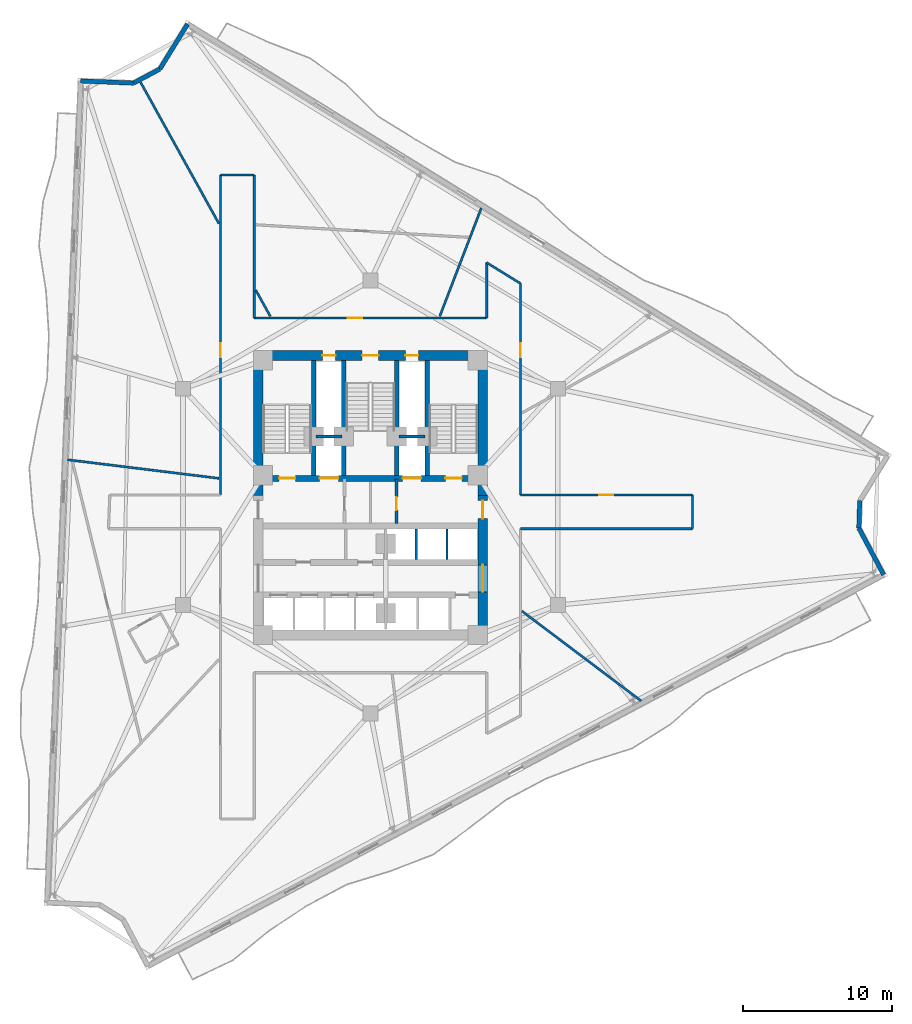
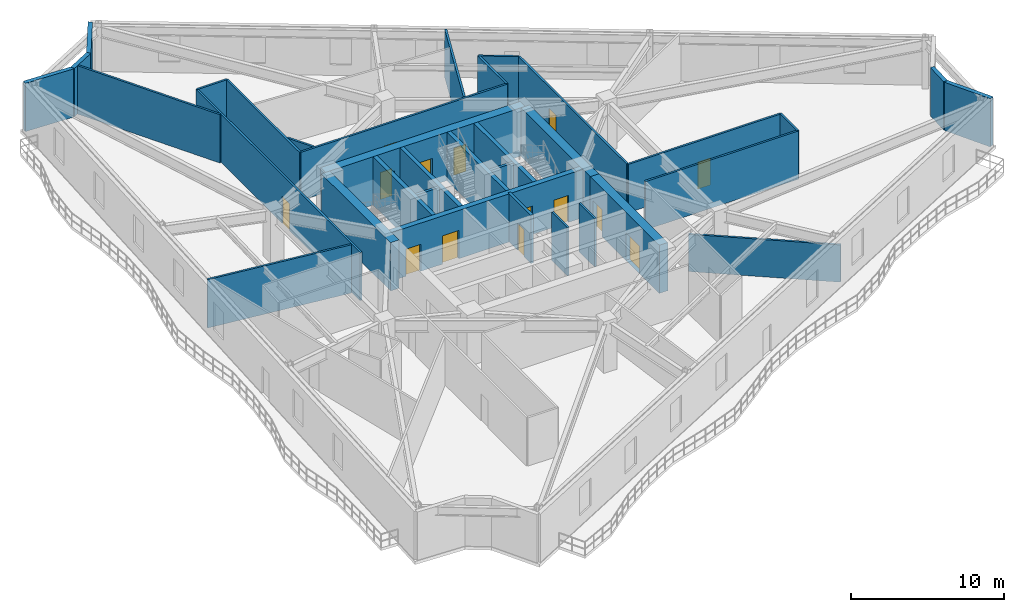
# One storey, part 7 of 12: 34 walls, 14 doors, 14 openings.
"""IFC4 building model written with IfcOpenShell, lengths in metres."""

from ifc_helpers import new_model, si_unit, direction, frame, frame_2d, origin, place, context, subcontext, project, spatial, rectangle, extrude, material, layer, layer_set, type_object, element, fill, save


model = new_model("IFC4")

# Units and contexts
model_context = context("Model", 3, precision=1e-05, world=origin(), true_north=direction((0.0, 1.0)))
body_context = subcontext(model_context, "Body", "Model", "MODEL_VIEW")
ifc_project = project(units=[si_unit("LENGTHUNIT", "METRE"), si_unit("AREAUNIT", "SQUARE_METRE"), si_unit("VOLUMEUNIT", "CUBIC_METRE"), si_unit("PLANEANGLEUNIT", "RADIAN"), si_unit("MASSUNIT", "GRAM", prefix="KILO")], contexts=[model_context])

# Site, building, storey
site_placement = place(None, origin())
site = spatial("IfcSite", under=ifc_project, at=site_placement, CompositionType="ELEMENT")
building_placement = place(site_placement, origin())
building = spatial("IfcBuilding", under=site, at=building_placement, Name="Apsidion Concourse Tower", CompositionType="ELEMENT")
storey_placement = place(building_placement, frame((0.0, 0.0, 165.5)))
storey = spatial("IfcBuildingStorey", under=building, at=storey_placement, Name="L38", CompositionType="ELEMENT", Elevation=165.5)

# Walls
ifc_material_1 = material(Name="Precast concrete C40/50", Category="concrete")
ifc_layer_1 = layer(ifc_material_1, 0.300048828125)
ifc_layer_set_1 = layer_set([ifc_layer_1], Name="Precast concrete C40/50")
wall_type_1 = type_object("IfcWallType", Name="WL-EXT-300", PredefinedType="STANDARD", material=ifc_layer_set_1)
wall_1_placement = place(storey_placement, frame((32.794189453125, -0.25244140625, 0.0), z_axis=(0.0, 0.0, 1.0), x_axis=(-0.031873247483, -0.999491918974, 0.0)))
element("IfcWall", 1, at=wall_1_placement, inside=storey, type_object=wall_type_1, Name="L38 Precast Stone Facade Wall 03", PredefinedType="STANDARD", context=body_context, shape_type="SweptSolid", body=[
    extrude(rectangle(XDim=1.83837890625, YDim=0.300048828125, at=frame_2d((0.919189453125, 0.0))), origin(), (0.0, 0.0, 1.0), 3.85009765625),
])
wall_2_placement = place(storey_placement, frame((32.735595703125, -2.08984375, 0.0), z_axis=(0.0, 0.0, 1.0), x_axis=(0.469464339615, -0.882951433449, 0.0)))
element("IfcWall", 2, at=wall_2_placement, inside=storey, type_object=wall_type_1, Name="L38 Precast Stone Facade Wall 04", PredefinedType="STANDARD", context=body_context, shape_type="SweptSolid", body=[
    extrude(rectangle(XDim=3.54150390625, YDim=0.300048828125, at=frame_2d((1.770751953125, 0.0))), origin(), (0.0, 0.0, 1.0), 3.85009765625),
])
wall_3_placement = place(storey_placement, frame((-19.418212890625, 27.880126953125, 0.0), z_axis=(0.0, 0.0, 1.0), x_axis=(0.999167250485, -0.040802028853, 0.0)))
element("IfcWall", 3, at=wall_3_placement, inside=storey, type_object=wall_type_1, Name="L38 Precast Stone Facade Wall 10", PredefinedType="STANDARD", context=body_context, shape_type="SweptSolid", body=[
    extrude(rectangle(XDim=3.542236328125, YDim=0.300048828125, at=frame_2d((1.77099609375, 0.0))), origin(), (0.0, 0.0, 1.0), 3.85009765625),
])
wall_4_placement = place(storey_placement, frame((-15.87890625, 27.735595703125, 0.0), z_axis=(0.0, 0.0, 1.0), x_axis=(0.882930579665, 0.469503558552, 0.0)))
element("IfcWall", 4, at=wall_4_placement, inside=storey, type_object=wall_type_1, Name="L38 Precast Stone Facade Wall 11", PredefinedType="STANDARD", context=body_context, shape_type="SweptSolid", body=[
    extrude(rectangle(XDim=1.998291015625, YDim=0.300048828125, at=frame_2d((0.9990234375, 0.0))), origin(), (0.0, 0.0, 1.0), 3.85009765625),
])
wall_5_placement = place(storey_placement, frame((-14.114501953125, 28.673828125, 0.0), z_axis=(0.0, 0.0, 1.0), x_axis=(0.524897025004, 0.851165737763, 0.0)))
element("IfcWall", 5, at=wall_5_placement, inside=storey, type_object=wall_type_1, Name="L38 Precast Stone Facade Wall 12", PredefinedType="STANDARD", context=body_context, shape_type="SweptSolid", body=[
    extrude(rectangle(XDim=3.54248046875, YDim=0.300048828125, at=frame_2d((1.771240234375, 0.0))), origin(), (0.0, 0.0, 1.0), 3.85009765625),
])
ifc_material_2 = material(Name="Gypsum plasterboard partition")
ifc_layer_2 = layer(ifc_material_2, 0.14990234375)
ifc_layer_set_2 = layer_set([ifc_layer_2], Name="Gypsum plasterboard partition")
wall_type_2 = type_object("IfcWallType", Name="WL-INT-PAR-150", PredefinedType="PARTITIONING", material=ifc_layer_set_2)
for number, where, z_axis, x_axis, name in (
    (6, (3.074951171875, -4.179931640625, 0.0), (0.0, 0.0, 1.0), (0.0, 1.0, 0.0), "L38 Interior Partition WL-L38-B3DIV-1"),
    (7, (5.125, -4.179931640625, 0.0), (0.0, 0.0, 1.0), (0.0, 1.0, 0.0), "L38 Interior Partition WL-L38-B3DIV-2"),
):
    element("IfcWall", number, at=place(storey_placement, frame(where, z_axis=z_axis, x_axis=x_axis)), inside=storey, type_object=wall_type_2, Name=name, PredefinedType="PARTITIONING", context=body_context, shape_type="SweptSolid", body=[
        extrude(rectangle(XDim=2.030029296875, YDim=0.14990234375, at=frame_2d((1.01513671875, 0.0))), origin(), (0.0, 0.0, 1.0), 3.85009765625),
    ])

# Wall, opening, door
wall_6_placement = place(storey_placement, frame((-10.050048828125, 0.1298828125, 0.0), z_axis=(0.0, 0.0, 1.0), x_axis=(0.0, 1.0, 0.0)))
wall_6 = element("IfcWall", 8, at=wall_6_placement, inside=storey, type_object=wall_type_2, Name="L38 Interior Partition WL-L38-CORR-10", PredefinedType="PARTITIONING", context=body_context, shape_type="SweptSolid", body=[
    extrude(rectangle(XDim=21.4501953125, YDim=0.14990234375, at=frame_2d((10.72509765625, 0.0))), origin(), (0.0, 0.0, 1.0), 3.85009765625),
])
opening_1_placement = place(wall_6_placement, frame((9.22900390625, 0.0, 0.0)))
opening_1 = element("IfcOpeningElement", 9, at=opening_1_placement, cuts=wall_6, Name="Opening D-01L", PredefinedType="OPENING", context=body_context, shape_type="SweptSolid", body=[
    extrude(rectangle(XDim=0.949951171875, YDim=2.14990234375, at=frame_2d((0.47509765625, 1.074951171875))), frame((0.0, 0.0849609375, 0.0), z_axis=(0.0, -1.0, 0.0), x_axis=(1.0, 0.0, 0.0)), (0.0, 0.0, 1.0), 0.169921875),
])
ifc_material_3 = material(Name="Brushed stainless steel 316", Category="steel")
door_type_1 = type_object("IfcDoorType", Name="DR-INT-D01L", OperationType="SINGLE_SWING_LEFT", PredefinedType="DOOR", material=ifc_material_3)
door_1_placement = place(opening_1_placement, origin())
door_1 = element("IfcDoor", 10, at=door_1_placement, inside=storey, type_object=door_type_1, Name="L38 Corridor Entry Door 07", OperationType="SINGLE_SWING_LEFT", OverallHeight=2.14990234375, OverallWidth=0.949951171875, PredefinedType="DOOR", context=body_context, shape_type="SweptSolid", body=[
    extrude(rectangle(XDim=0.949951171875, YDim=2.14990234375, at=frame_2d((0.47509765625, 1.074951171875))), frame((0.0, 0.02490234375, 0.0), z_axis=(0.0, -1.0, 0.0), x_axis=(1.0, 0.0, 0.0)), (0.0, 0.0, 1.0), 0.050048828125),
])
fill(opening_1, door_1)

# Walls
wall_7_placement = place(storey_placement, frame((-10.050048828125, 21.580078125, 0.0), z_axis=(0.0, 0.0, 1.0), x_axis=(1.0, 0.0, 0.0)))
element("IfcWall", 11, at=wall_7_placement, inside=storey, type_object=wall_type_2, Name="L38 Interior Partition WL-L38-CORR-11", PredefinedType="PARTITIONING", context=body_context, shape_type="SweptSolid", body=[
    extrude(rectangle(XDim=2.260009765625, YDim=0.14990234375, at=frame_2d((1.1298828125, 0.0))), origin(), (0.0, 0.0, 1.0), 3.85009765625),
])
wall_8_placement = place(storey_placement, frame((-7.7900390625, 21.580078125, 0.0), z_axis=(0.0, 0.0, 1.0), x_axis=(0.0, -1.0, 0.0)))
element("IfcWall", 12, at=wall_8_placement, inside=storey, type_object=wall_type_2, Name="L38 Interior Partition WL-L38-CORR-12", PredefinedType="PARTITIONING", context=body_context, shape_type="SweptSolid", body=[
    extrude(rectangle(XDim=9.580078125, YDim=0.14990234375, at=frame_2d((4.7900390625, 0.0))), origin(), (0.0, 0.0, 1.0), 3.85009765625),
])

# Wall, opening, door
wall_9_placement = place(storey_placement, frame((-7.7900390625, 12.0, 0.0), z_axis=(0.0, 0.0, 1.0), x_axis=(1.0, 0.0, 0.0)))
wall_9 = element("IfcWall", 13, at=wall_9_placement, inside=storey, type_object=wall_type_2, Name="L38 Interior Partition WL-L38-CORR-13", PredefinedType="PARTITIONING", context=body_context, shape_type="SweptSolid", body=[
    extrude(rectangle(XDim=15.580078125, YDim=0.14990234375, at=frame_2d((7.7900390625, 0.0))), origin(), (0.0, 0.0, 1.0), 3.85009765625),
])
opening_2_placement = place(wall_9_placement, frame((6.281982421875, 0.0, 0.0)))
opening_2 = element("IfcOpeningElement", 14, at=opening_2_placement, cuts=wall_9, Name="Opening D-01R", PredefinedType="OPENING", context=body_context, shape_type="SweptSolid", body=[
    extrude(rectangle(XDim=0.949951171875, YDim=2.14990234375, at=frame_2d((0.47509765625, 1.074951171875))), frame((0.0, 0.0849609375, 0.0), z_axis=(0.0, -1.0, 0.0), x_axis=(1.0, 0.0, 0.0)), (0.0, 0.0, 1.0), 0.169921875),
])
door_type_2 = type_object("IfcDoorType", Name="DR-INT-D01R", OperationType="SINGLE_SWING_RIGHT", PredefinedType="DOOR", material=ifc_material_3)
door_2_placement = place(opening_2_placement, origin())
door_2 = element("IfcDoor", 15, at=door_2_placement, inside=storey, type_object=door_type_2, Name="L38 Corridor Entry Door 06", OperationType="SINGLE_SWING_RIGHT", OverallHeight=2.14990234375, OverallWidth=0.949951171875, PredefinedType="DOOR", context=body_context, shape_type="SweptSolid", body=[
    extrude(rectangle(XDim=0.949951171875, YDim=2.14990234375, at=frame_2d((0.47509765625, 1.074951171875))), frame((0.0, 0.02490234375, 0.0), z_axis=(0.0, -1.0, 0.0), x_axis=(1.0, 0.0, 0.0)), (0.0, 0.0, 1.0), 0.050048828125),
])
fill(opening_2, door_2)

# Walls
wall_10_placement = place(storey_placement, frame((7.7900390625, 12.0, 0.0), z_axis=(0.0, 0.0, 1.0), x_axis=(0.0, 1.0, 0.0)))
element("IfcWall", 16, at=wall_10_placement, inside=storey, type_object=wall_type_2, Name="L38 Interior Partition WL-L38-CORR-14", PredefinedType="PARTITIONING", context=body_context, shape_type="SweptSolid", body=[
    extrude(rectangle(XDim=3.703125, YDim=0.14990234375, at=frame_2d((1.8515625, 0.0))), origin(), (0.0, 0.0, 1.0), 3.85009765625),
])
wall_11_placement = place(storey_placement, frame((7.7900390625, 15.703125, 0.0), z_axis=(0.0, 0.0, 1.0), x_axis=(0.851190724913, -0.52485650403, 0.0)))
element("IfcWall", 17, at=wall_11_placement, inside=storey, type_object=wall_type_2, Name="L38 Interior Partition WL-L38-CORR-15", PredefinedType="PARTITIONING", context=body_context, shape_type="SweptSolid", body=[
    extrude(rectangle(XDim=2.655029296875, YDim=0.14990234375, at=frame_2d((1.32763671875, 0.0))), origin(), (0.0, 0.0, 1.0), 3.85009765625),
])

# Wall, opening, door
wall_12_placement = place(storey_placement, frame((10.050048828125, 14.3095703125, 0.0), z_axis=(0.0, 0.0, 1.0), x_axis=(0.0, -1.0, 0.0)))
wall_12 = element("IfcWall", 18, at=wall_12_placement, inside=storey, type_object=wall_type_2, Name="L38 Interior Partition WL-L38-CORR-16", PredefinedType="PARTITIONING", context=body_context, shape_type="SweptSolid", body=[
    extrude(rectangle(XDim=14.1796875, YDim=0.14990234375, at=frame_2d((7.08984375, 0.0))), origin(), (0.0, 0.0, 1.0), 3.85009765625),
])
opening_3_placement = place(wall_12_placement, frame((3.994384765625, 0.0, 0.0)))
opening_3 = element("IfcOpeningElement", 19, at=opening_3_placement, cuts=wall_12, Name="Opening D-01L", PredefinedType="OPENING", context=body_context, shape_type="SweptSolid", body=[
    extrude(rectangle(XDim=0.949951171875, YDim=2.14990234375, at=frame_2d((0.47509765625, 1.074951171875))), frame((0.0, 0.0849609375, 0.0), z_axis=(0.0, -1.0, 0.0), x_axis=(1.0, 0.0, 0.0)), (0.0, 0.0, 1.0), 0.169921875),
])
door_3_placement = place(opening_3_placement, origin())
door_3 = element("IfcDoor", 20, at=door_3_placement, inside=storey, type_object=door_type_1, Name="L38 Corridor Entry Door 05", OperationType="SINGLE_SWING_LEFT", OverallHeight=2.14990234375, OverallWidth=0.949951171875, PredefinedType="DOOR", context=body_context, shape_type="SweptSolid", body=[
    extrude(rectangle(XDim=0.949951171875, YDim=2.14990234375, at=frame_2d((0.47509765625, 1.074951171875))), frame((0.0, 0.02490234375, 0.0), z_axis=(0.0, -1.0, 0.0), x_axis=(1.0, 0.0, 0.0)), (0.0, 0.0, 1.0), 0.050048828125),
])
fill(opening_3, door_3)

wall_13_placement = place(storey_placement, frame((10.050048828125, 0.1298828125, 0.0), z_axis=(0.0, 0.0, 1.0), x_axis=(1.0, 0.0, 0.0)))
wall_13 = element("IfcWall", 21, at=wall_13_placement, inside=storey, type_object=wall_type_2, Name="L38 Interior Partition WL-L38-CORR-17", PredefinedType="PARTITIONING", context=body_context, shape_type="SweptSolid", body=[
    extrude(rectangle(XDim=11.530029296875, YDim=0.14990234375, at=frame_2d((5.76513671875, 0.0))), origin(), (0.0, 0.0, 1.0), 3.85009765625),
])
opening_4_placement = place(wall_13_placement, frame((5.2900390625, 0.0, 0.0)))
opening_4 = element("IfcOpeningElement", 22, at=opening_4_placement, cuts=wall_13, Name="Opening D-01R", PredefinedType="OPENING", context=body_context, shape_type="SweptSolid", body=[
    extrude(rectangle(XDim=0.949951171875, YDim=2.14990234375, at=frame_2d((0.47509765625, 1.074951171875))), frame((0.0, 0.0849609375, 0.0), z_axis=(0.0, -1.0, 0.0), x_axis=(1.0, 0.0, 0.0)), (0.0, 0.0, 1.0), 0.169921875),
])
door_4_placement = place(opening_4_placement, origin())
door_4 = element("IfcDoor", 23, at=door_4_placement, inside=storey, type_object=door_type_2, Name="L38 Corridor Entry Door 04", OperationType="SINGLE_SWING_RIGHT", OverallHeight=2.14990234375, OverallWidth=0.949951171875, PredefinedType="DOOR", context=body_context, shape_type="SweptSolid", body=[
    extrude(rectangle(XDim=0.949951171875, YDim=2.14990234375, at=frame_2d((0.47509765625, 1.074951171875))), frame((0.0, 0.02490234375, 0.0), z_axis=(0.0, -1.0, 0.0), x_axis=(1.0, 0.0, 0.0)), (0.0, 0.0, 1.0), 0.050048828125),
])
fill(opening_4, door_4)

# Walls
wall_14_placement = place(storey_placement, frame((21.580078125, 0.1298828125, 0.0), z_axis=(0.0, 0.0, 1.0), x_axis=(0.0, -1.0, 0.0)))
element("IfcWall", 24, at=wall_14_placement, inside=storey, type_object=wall_type_2, Name="L38 Interior Partition WL-L38-CORR-18", PredefinedType="PARTITIONING", context=body_context, shape_type="SweptSolid", body=[
    extrude(rectangle(XDim=2.259765625, YDim=0.14990234375, at=frame_2d((1.1298828125, 0.0))), origin(), (0.0, 0.0, 1.0), 3.85009765625),
])
wall_15_placement = place(storey_placement, frame((21.580078125, -2.1298828125, 0.0), z_axis=(0.0, 0.0, 1.0), x_axis=(-1.0, 0.0, 0.0)))
element("IfcWall", 25, at=wall_15_placement, inside=storey, type_object=wall_type_2, Name="L38 Interior Partition WL-L38-CORR-19", PredefinedType="PARTITIONING", context=body_context, shape_type="SweptSolid", body=[
    extrude(rectangle(XDim=11.530029296875, YDim=0.14990234375, at=frame_2d((5.76513671875, 0.0))), origin(), (0.0, 0.0, 1.0), 3.85009765625),
])
wall_16_placement = place(storey_placement, frame((4.646728515625, 12.10498046875, 0.0), z_axis=(0.0, 0.0, 1.0), x_axis=(0.358357593809, 0.933584401626, 0.0)))
element("IfcWall", 26, at=wall_16_placement, inside=storey, type_object=wall_type_2, Name="L38 Interior Partition WL-L38-RAD-02-1", PredefinedType="PARTITIONING", context=body_context, shape_type="SweptSolid", body=[
    extrude(rectangle(XDim=7.7666015625, YDim=0.14990234375, at=frame_2d((3.88330078125, 0.0))), origin(), (0.0, 0.0, 1.0), 3.85009765625),
])
wall_17_placement = place(storey_placement, frame((-6.7099609375, 12.10498046875, 0.0), z_axis=(0.0, 0.0, 1.0), x_axis=(-0.484828496674, 0.874609243499, 0.0)))
element("IfcWall", 27, at=wall_17_placement, inside=storey, type_object=wall_type_2, Name="L38 Interior Partition WL-L38-RAD-03-1", PredefinedType="PARTITIONING", context=body_context, shape_type="SweptSolid", body=[
    extrude(rectangle(XDim=2.01123046875, YDim=0.14990234375, at=frame_2d((1.005615234375, 0.0))), origin(), (0.0, 0.0, 1.0), 3.85009765625),
])
wall_18_placement = place(storey_placement, frame((-10.155029296875, 18.320068359375, 0.0), z_axis=(0.0, 0.0, 1.0), x_axis=(-0.484801096568, 0.874624431837, 0.0)))
element("IfcWall", 28, at=wall_18_placement, inside=storey, type_object=wall_type_2, Name="L38 Interior Partition WL-L38-RAD-03-2", PredefinedType="PARTITIONING", context=body_context, shape_type="SweptSolid", body=[
    extrude(rectangle(XDim=10.837158203125, YDim=0.14990234375, at=frame_2d((5.41845703125, 0.0))), origin(), (0.0, 0.0, 1.0), 3.85009765625),
])
wall_19_placement = place(storey_placement, frame((-10.155029296875, 1.246826171875, 0.0), z_axis=(0.0, 0.0, 1.0), x_axis=(-0.992546956358, 0.121862789337, 0.0)))
element("IfcWall", 29, at=wall_19_placement, inside=storey, type_object=wall_type_2, Name="L38 Interior Partition WL-L38-RAD-04-1", PredefinedType="PARTITIONING", context=body_context, shape_type="SweptSolid", body=[
    extrude(rectangle(XDim=10.21142578125, YDim=0.14990234375, at=frame_2d((5.105712890625, 0.0))), origin(), (0.0, 0.0, 1.0), 3.85009765625),
])
wall_20_placement = place(storey_placement, frame((10.155029296875, -7.65234375, 0.0), z_axis=(0.0, 0.0, 1.0), x_axis=(0.798633112635, -0.601818204613, 0.0)))
element("IfcWall", 30, at=wall_20_placement, inside=storey, type_object=wall_type_2, Name="L38 Interior Partition WL-L38-RAD-07-1", PredefinedType="PARTITIONING", context=body_context, shape_type="SweptSolid", body=[
    extrude(rectangle(XDim=10.003173828125, YDim=0.14990234375, at=frame_2d((5.00146484375, 0.0))), origin(), (0.0, 0.0, 1.0), 2.970947265625),
])
ifc_layer_3 = layer(ifc_material_2, 0.199951171875)
ifc_layer_set_3 = layer_set([ifc_layer_3], Name="Gypsum plasterboard partition")
wall_type_3 = type_object("IfcWallType", Name="WL-INT-PAR-200", PredefinedType="PARTITIONING", material=ifc_layer_set_3)
for number, where, z_axis, x_axis, name in (
    (31, (-3.64990234375, 4.050048828125, 0.0), (0.0, 0.0, 1.0), (1.0, 0.0, 0.0), "L38 Interior Partition WL-L38-FF1-N"),
    (32, (1.919921875, 4.050048828125, 0.0), (0.0, 0.0, 1.0), (1.0, 0.0, 0.0), "L38 Interior Partition WL-L38-FF2-N"),
):
    element("IfcWall", number, at=place(storey_placement, frame(where, z_axis=z_axis, x_axis=x_axis)), inside=storey, type_object=wall_type_3, Name=name, PredefinedType="PARTITIONING", context=body_context, shape_type="SweptSolid", body=[
        extrude(rectangle(XDim=1.72998046875, YDim=0.199951171875, at=frame_2d((0.864990234375, 0.0))), origin(), (0.0, 0.0, 1.0), 3.85009765625),
    ])

# Wall, opening, door
wall_21_placement = place(storey_placement, frame((1.739990234375, -1.780029296875, 0.0), z_axis=(0.0, 0.0, 1.0), x_axis=(0.0, 1.0, 0.0)))
wall_21 = element("IfcWall", 33, at=wall_21_placement, inside=storey, type_object=wall_type_3, Name="L38 Interior Partition WL-L38-FF2-W", PredefinedType="PARTITIONING", context=body_context, shape_type="SweptSolid", body=[
    extrude(rectangle(XDim=2.97998046875, YDim=0.199951171875, at=frame_2d((1.489990234375, 0.0))), origin(), (0.0, 0.0, 1.0), 3.85009765625),
])
opening_5_placement = place(wall_21_placement, frame((0.889892578125, 0.0, 0.0)))
opening_5 = element("IfcOpeningElement", 34, at=opening_5_placement, cuts=wall_21, Name="Opening D-05L", PredefinedType="OPENING", context=body_context, shape_type="SweptSolid", body=[
    extrude(rectangle(XDim=0.8798828125, YDim=2.14990234375, at=frame_2d((0.43994140625, 1.074951171875))), frame((0.0, 0.10986328125, 0.0), z_axis=(0.0, -1.0, 0.0), x_axis=(1.0, 0.0, 0.0)), (0.0, 0.0, 1.0), 0.219970703125),
])
door_type_3 = type_object("IfcDoorType", Name="DR-INT-D05L", OperationType="SINGLE_SWING_LEFT", PredefinedType="DOOR", material=ifc_material_3)
door_5_placement = place(opening_5_placement, origin())
door_5 = element("IfcDoor", 35, at=door_5_placement, inside=storey, type_object=door_type_3, Name="L38 Core Electrical Door", OperationType="SINGLE_SWING_LEFT", OverallHeight=2.14990234375, OverallWidth=0.8798828125, PredefinedType="DOOR", context=body_context, shape_type="SweptSolid", body=[
    extrude(rectangle(XDim=0.8798828125, YDim=2.14990234375, at=frame_2d((0.43994140625, 1.074951171875))), frame((0.0, 0.02490234375, 0.0), z_axis=(0.0, -1.0, 0.0), x_axis=(1.0, 0.0, 0.0)), (0.0, 0.0, 1.0), 0.050048828125),
])
fill(opening_5, door_5)

# Walls
ifc_material_4 = material(Name="Concrete C50/60", Category="concrete")
ifc_layer_4 = layer(ifc_material_4, 0.300048828125)
ifc_layer_set_4 = layer_set([ifc_layer_4], Name="Concrete C50/60")
wall_type_4 = type_object("IfcWallType", Name="WL-SH-300", PredefinedType="SHEAR", material=ifc_layer_set_4)
for number, where, z_axis, x_axis, name in (
    (36, (-3.800048828125, 1.449951171875, 0.0), (0.0, 0.0, 1.0), (0.0, 1.0, 0.0), "L38 Central Core Shear Wall V1"),
    (37, (-1.77490234375, 1.449951171875, 0.0), (0.0, 0.0, 1.0), (0.0, 1.0, 0.0), "L38 Central Core Shear Wall V2"),
    (38, (1.77490234375, 1.449951171875, 0.0), (0.0, 0.0, 1.0), (0.0, 1.0, 0.0), "L38 Central Core Shear Wall V3"),
    (39, (3.800048828125, 1.449951171875, 0.0), (0.0, 0.0, 1.0), (0.0, 1.0, 0.0), "L38 Central Core Shear Wall V4"),
):
    element("IfcWall", number, at=place(storey_placement, frame(where, z_axis=z_axis, x_axis=x_axis)), inside=storey, type_object=wall_type_4, Name=name, PredefinedType="SHEAR", context=body_context, shape_type="SweptSolid", body=[
        extrude(rectangle(XDim=7.699951171875, YDim=0.300048828125, at=frame_2d((3.85009765625, 0.0))), origin(), (0.0, 0.0, 1.0), 3.85009765625),
    ])

# Wall, openings, doors
ifc_layer_5 = layer(ifc_material_4, 0.39990234375)
ifc_layer_set_5 = layer_set([ifc_layer_5], Name="Concrete C50/60")
wall_type_5 = type_object("IfcWallType", Name="WL-SH-400", PredefinedType="SHEAR", material=ifc_layer_set_5)
wall_22_placement = place(storey_placement, frame((-7.199951171875, 1.25, 0.0), z_axis=(0.0, 0.0, 1.0), x_axis=(1.0, 0.0, 0.0)))
wall_22 = element("IfcWall", 40, at=wall_22_placement, inside=storey, type_object=wall_type_5, Name="L38 Central Core Shear Wall M1", PredefinedType="SHEAR", context=body_context, shape_type="SweptSolid", body=[
    extrude(rectangle(XDim=14.39990234375, YDim=0.39990234375, at=frame_2d((7.199951171875, 0.0))), origin(), (0.0, 0.0, 1.0), 3.85009765625),
])
opening_6_placement = place(wall_22_placement, frame((3.794921875, 0.0, 0.0)))
opening_6 = element("IfcOpeningElement", 41, at=opening_6_placement, cuts=wall_22, Name="Opening LD-FF", PredefinedType="OPENING", context=body_context, shape_type="SweptSolid", body=[
    extrude(rectangle(XDim=1.25, YDim=2.25, at=frame_2d((0.625, 1.125))), frame((0.0, 0.2099609375, 0.0), z_axis=(0.0, -1.0, 0.0), x_axis=(1.0, 0.0, 0.0)), (0.0, 0.0, 1.0), 0.419921875),
])
opening_7_placement = place(wall_22_placement, frame((9.35498046875, 0.0, 0.0)))
opening_7 = element("IfcOpeningElement", 42, at=opening_7_placement, cuts=wall_22, Name="Opening LD-FF", PredefinedType="OPENING", context=body_context, shape_type="SweptSolid", body=[
    extrude(rectangle(XDim=1.25, YDim=2.25, at=frame_2d((0.625, 1.125))), frame((0.0, 0.2099609375, 0.0), z_axis=(0.0, -1.0, 0.0), x_axis=(1.0, 0.0, 0.0)), (0.0, 0.0, 1.0), 0.419921875),
])
opening_8_placement = place(wall_22_placement, frame((1.074951171875, 0.0, 0.0)))
opening_8 = element("IfcOpeningElement", 43, at=opening_8_placement, cuts=wall_22, Name="Opening D-STL", PredefinedType="OPENING", context=body_context, shape_type="SweptSolid", body=[
    extrude(rectangle(XDim=1.10009765625, YDim=2.14990234375, at=frame_2d((0.550048828125, 1.074951171875))), frame((0.0, 0.2099609375, 0.0), z_axis=(0.0, -1.0, 0.0), x_axis=(1.0, 0.0, 0.0)), (0.0, 0.0, 1.0), 0.419921875),
])
opening_9_placement = place(wall_22_placement, frame((12.22509765625, 0.0, 0.0)))
opening_9 = element("IfcOpeningElement", 44, at=opening_9_placement, cuts=wall_22, Name="Opening D-STR", PredefinedType="OPENING", context=body_context, shape_type="SweptSolid", body=[
    extrude(rectangle(XDim=1.10009765625, YDim=2.14990234375, at=frame_2d((0.550048828125, 1.074951171875))), frame((0.0, 0.2099609375, 0.0), z_axis=(0.0, -1.0, 0.0), x_axis=(1.0, 0.0, 0.0)), (0.0, 0.0, 1.0), 0.419921875),
])
door_type_4 = type_object("IfcDoorType", Name="DR-INT-ST1L", OperationType="SINGLE_SWING_LEFT", PredefinedType="DOOR", material=ifc_material_3)
door_6_placement = place(opening_8_placement, origin())
door_6 = element("IfcDoor", 45, at=door_6_placement, inside=storey, type_object=door_type_4, Name="L38 Core Exit Stair ST1 Door", OperationType="SINGLE_SWING_LEFT", OverallHeight=2.14990234375, OverallWidth=1.10009765625, PredefinedType="DOOR", context=body_context, shape_type="SweptSolid", body=[
    extrude(rectangle(XDim=1.10009765625, YDim=2.14990234375, at=frame_2d((0.550048828125, 1.074951171875))), frame((0.0, 0.02490234375, 0.0), z_axis=(0.0, -1.0, 0.0), x_axis=(1.0, 0.0, 0.0)), (0.0, 0.0, 1.0), 0.050048828125),
])
fill(opening_8, door_6)
door_type_5 = type_object("IfcDoorType", Name="DR-INT-ST1R", OperationType="SINGLE_SWING_RIGHT", PredefinedType="DOOR", material=ifc_material_3)
door_7_placement = place(opening_9_placement, origin())
door_7 = element("IfcDoor", 46, at=door_7_placement, inside=storey, type_object=door_type_5, Name="L38 Core Exit Stair ST2 Door", OperationType="SINGLE_SWING_RIGHT", OverallHeight=2.14990234375, OverallWidth=1.10009765625, PredefinedType="DOOR", context=body_context, shape_type="SweptSolid", body=[
    extrude(rectangle(XDim=1.10009765625, YDim=2.14990234375, at=frame_2d((0.550048828125, 1.074951171875))), frame((0.0, 0.02490234375, 0.0), z_axis=(0.0, -1.0, 0.0), x_axis=(1.0, 0.0, 0.0)), (0.0, 0.0, 1.0), 0.050048828125),
])
fill(opening_9, door_7)
door_type_6 = type_object("IfcDoorType", Name="DR-LD-FSAE", OperationType="DOUBLE_DOOR_SLIDING", PredefinedType="DOOR", material=ifc_material_3)
door_8_placement = place(opening_6_placement, origin())
door_8 = element("IfcDoor", 47, at=door_8_placement, inside=storey, type_object=door_type_6, Name="L38 Lift Landing Door FF1", OperationType="DOUBLE_DOOR_SLIDING", OverallHeight=2.25, OverallWidth=1.25, PredefinedType="DOOR", context=body_context, shape_type="SweptSolid", body=[
    extrude(rectangle(XDim=1.25, YDim=2.25, at=frame_2d((0.625, 1.125))), frame((0.0, 0.02490234375, 0.0), z_axis=(0.0, -1.0, 0.0), x_axis=(1.0, 0.0, 0.0)), (0.0, 0.0, 1.0), 0.050048828125),
])
fill(opening_6, door_8)
door_9_placement = place(opening_7_placement, origin())
door_9 = element("IfcDoor", 48, at=door_9_placement, inside=storey, type_object=door_type_6, Name="L38 Lift Landing Door FF2", OperationType="DOUBLE_DOOR_SLIDING", OverallHeight=2.25, OverallWidth=1.25, PredefinedType="DOOR", context=body_context, shape_type="SweptSolid", body=[
    extrude(rectangle(XDim=1.25, YDim=2.25, at=frame_2d((0.625, 1.125))), frame((0.0, 0.02490234375, 0.0), z_axis=(0.0, -1.0, 0.0), x_axis=(1.0, 0.0, 0.0)), (0.0, 0.0, 1.0), 0.050048828125),
])
fill(opening_7, door_9)

ifc_layer_6 = layer(ifc_material_4, 0.64990234375)
ifc_layer_set_6 = layer_set([ifc_layer_6], Name="Concrete C50/60")
wall_type_6 = type_object("IfcWallType", Name="WL-SH-650", PredefinedType="SHEAR", material=ifc_layer_set_6)
wall_23_placement = place(storey_placement, frame((-7.52490234375, 9.47509765625, 0.0), z_axis=(0.0, 0.0, 1.0), x_axis=(1.0, 0.0, 0.0)))
wall_23 = element("IfcWall", 49, at=wall_23_placement, inside=storey, type_object=wall_type_6, Name="L38 Central Core Shear Wall N", PredefinedType="SHEAR", context=body_context, shape_type="SweptSolid", body=[
    extrude(rectangle(XDim=15.0498046875, YDim=0.64990234375, at=frame_2d((7.52490234375, 0.0))), origin(), (0.0, 0.0, 1.0), 3.85009765625),
])
opening_10_placement = place(wall_23_placement, frame((6.97509765625, 0.0, 0.0)))
opening_10 = element("IfcOpeningElement", 50, at=opening_10_placement, cuts=wall_23, Name="Opening D-STL", PredefinedType="OPENING", context=body_context, shape_type="SweptSolid", body=[
    extrude(rectangle(XDim=1.10009765625, YDim=2.14990234375, at=frame_2d((0.550048828125, 1.074951171875))), frame((0.0, 0.3349609375, 0.0), z_axis=(0.0, -1.0, 0.0), x_axis=(1.0, 0.0, 0.0)), (0.0, 0.0, 1.0), 0.669921875),
])
opening_11_placement = place(wall_23_placement, frame((4.304931640625, 0.0, 0.0)))
opening_11 = element("IfcOpeningElement", 51, at=opening_11_placement, cuts=wall_23, Name="Opening D-05L", PredefinedType="OPENING", context=body_context, shape_type="SweptSolid", body=[
    extrude(rectangle(XDim=0.8798828125, YDim=2.14990234375, at=frame_2d((0.43994140625, 1.074951171875))), frame((0.0, 0.3349609375, 0.0), z_axis=(0.0, -1.0, 0.0), x_axis=(1.0, 0.0, 0.0)), (0.0, 0.0, 1.0), 0.669921875),
])
opening_12_placement = place(wall_23_placement, frame((9.864990234375, 0.0, 0.0)))
opening_12 = element("IfcOpeningElement", 52, at=opening_12_placement, cuts=wall_23, Name="Opening D-05R", PredefinedType="OPENING", context=body_context, shape_type="SweptSolid", body=[
    extrude(rectangle(XDim=0.8798828125, YDim=2.14990234375, at=frame_2d((0.43994140625, 1.074951171875))), frame((0.0, 0.3349609375, 0.0), z_axis=(0.0, -1.0, 0.0), x_axis=(1.0, 0.0, 0.0)), (0.0, 0.0, 1.0), 0.669921875),
])
door_10_placement = place(opening_11_placement, origin())
door_10 = element("IfcDoor", 53, at=door_10_placement, inside=storey, type_object=door_type_3, Name="L38 Electrical Riser Shaft Access Door", OperationType="SINGLE_SWING_LEFT", OverallHeight=2.14990234375, OverallWidth=0.8798828125, PredefinedType="DOOR", context=body_context, shape_type="SweptSolid", body=[
    extrude(rectangle(XDim=0.8798828125, YDim=2.14990234375, at=frame_2d((0.43994140625, 1.074951171875))), frame((0.0, 0.02490234375, 0.0), z_axis=(0.0, -1.0, 0.0), x_axis=(1.0, 0.0, 0.0)), (0.0, 0.0, 1.0), 0.050048828125),
])
fill(opening_11, door_10)
door_type_7 = type_object("IfcDoorType", Name="DR-INT-D05R", OperationType="SINGLE_SWING_RIGHT", PredefinedType="DOOR", material=ifc_material_3)
door_11_placement = place(opening_12_placement, origin())
door_11 = element("IfcDoor", 54, at=door_11_placement, inside=storey, type_object=door_type_7, Name="L38 Mechanical Riser Shaft Access Door", OperationType="SINGLE_SWING_RIGHT", OverallHeight=2.14990234375, OverallWidth=0.8798828125, PredefinedType="DOOR", context=body_context, shape_type="SweptSolid", body=[
    extrude(rectangle(XDim=0.8798828125, YDim=2.14990234375, at=frame_2d((0.43994140625, 1.074951171875))), frame((0.0, 0.02490234375, 0.0), z_axis=(0.0, -1.0, 0.0), x_axis=(1.0, 0.0, 0.0)), (0.0, 0.0, 1.0), 0.050048828125),
])
fill(opening_12, door_11)
door_12_placement = place(opening_10_placement, origin())
door_12 = element("IfcDoor", 55, at=door_12_placement, inside=storey, type_object=door_type_4, Name="L38 Core Exit Stair ST3 Door", OperationType="SINGLE_SWING_LEFT", OverallHeight=2.14990234375, OverallWidth=1.10009765625, PredefinedType="DOOR", context=body_context, shape_type="SweptSolid", body=[
    extrude(rectangle(XDim=1.10009765625, YDim=2.14990234375, at=frame_2d((0.550048828125, 1.074951171875))), frame((0.0, 0.02490234375, 0.0), z_axis=(0.0, -1.0, 0.0), x_axis=(1.0, 0.0, 0.0)), (0.0, 0.0, 1.0), 0.050048828125),
])
fill(opening_10, door_12)

# Walls
for number, where, z_axis, x_axis, name in (
    (56, (-7.52490234375, 0.10009765625, 0.0), (0.0, 0.0, 1.0), (0.0, 1.0, 0.0), "L38 Central Core Shear Wall WN"),
    (57, (7.52490234375, 0.10009765625, 0.0), (0.0, 0.0, 1.0), (0.0, 1.0, 0.0), "L38 Central Core Shear Wall EN"),
):
    element("IfcWall", number, at=place(storey_placement, frame(where, z_axis=z_axis, x_axis=x_axis)), inside=storey, type_object=wall_type_6, Name=name, PredefinedType="SHEAR", context=body_context, shape_type="SweptSolid", body=[
        extrude(rectangle(XDim=9.0498046875, YDim=0.64990234375, at=frame_2d((4.52490234375, 0.0))), origin(), (0.0, 0.0, 1.0), 3.85009765625),
    ])

# Wall, openings, doors
wall_24_placement = place(storey_placement, frame((7.52490234375, -8.925048828125, 0.0), z_axis=(0.0, 0.0, 1.0), x_axis=(0.0, 1.0, 0.0)))
wall_24 = element("IfcWall", 58, at=wall_24_placement, inside=storey, type_object=wall_type_6, Name="L38 Central Core Shear Wall ES", PredefinedType="SHEAR", context=body_context, shape_type="SweptSolid", body=[
    extrude(rectangle(XDim=9.025146484375, YDim=0.64990234375, at=frame_2d((4.5126953125, 0.0))), origin(), (0.0, 0.0, 1.0), 3.85009765625),
])
opening_13_placement = place(wall_24_placement, frame((2.56494140625, 0.0, 0.0)))
opening_13 = element("IfcOpeningElement", 59, at=opening_13_placement, cuts=wall_24, Name="Opening D-06D", PredefinedType="OPENING", context=body_context, shape_type="SweptSolid", body=[
    extrude(rectangle(XDim=1.800048828125, YDim=2.199951171875, at=frame_2d((0.89990234375, 1.10009765625))), frame((0.0, 0.3349609375, 0.0), z_axis=(0.0, -1.0, 0.0), x_axis=(1.0, 0.0, 0.0)), (0.0, 0.0, 1.0), 0.669921875),
])
opening_14_placement = place(wall_24_placement, frame((7.47509765625, 0.0, 0.0)))
opening_14 = element("IfcOpeningElement", 60, at=opening_14_placement, cuts=wall_24, Name="Opening D-FFR", PredefinedType="OPENING", context=body_context, shape_type="SweptSolid", body=[
    extrude(rectangle(XDim=1.199951171875, YDim=2.14990234375, at=frame_2d((0.60009765625, 1.074951171875))), frame((0.0, 0.3349609375, 0.0), z_axis=(0.0, -1.0, 0.0), x_axis=(1.0, 0.0, 0.0)), (0.0, 0.0, 1.0), 0.669921875),
])
door_type_8 = type_object("IfcDoorType", Name="DR-INT-D06D", OperationType="DOUBLE_DOOR_SINGLE_SWING", PredefinedType="DOOR", material=ifc_material_3)
door_13_placement = place(opening_13_placement, origin())
door_13 = element("IfcDoor", 61, at=door_13_placement, inside=storey, type_object=door_type_8, Name="L38 Passenger Lift Lobby ES Portal Door", OperationType="DOUBLE_DOOR_SINGLE_SWING", OverallHeight=2.199951171875, OverallWidth=1.800048828125, PredefinedType="DOOR", context=body_context, shape_type="SweptSolid", body=[
    extrude(rectangle(XDim=1.800048828125, YDim=2.199951171875, at=frame_2d((0.89990234375, 1.10009765625))), frame((0.0, 0.02490234375, 0.0), z_axis=(0.0, -1.0, 0.0), x_axis=(1.0, 0.0, 0.0)), (0.0, 0.0, 1.0), 0.050048828125),
])
fill(opening_13, door_13)
door_type_9 = type_object("IfcDoorType", Name="DR-INT-FFR", OperationType="SINGLE_SWING_RIGHT", PredefinedType="DOOR", material=ifc_material_3)
door_14_placement = place(opening_14_placement, origin())
door_14 = element("IfcDoor", 62, at=door_14_placement, inside=storey, type_object=door_type_9, Name="L38 Firefighting Lift Lobby FF2 Door", OperationType="SINGLE_SWING_RIGHT", OverallHeight=2.14990234375, OverallWidth=1.199951171875, PredefinedType="DOOR", context=body_context, shape_type="SweptSolid", body=[
    extrude(rectangle(XDim=1.199951171875, YDim=2.14990234375, at=frame_2d((0.60009765625, 1.074951171875))), frame((0.0, 0.02490234375, 0.0), z_axis=(0.0, -1.0, 0.0), x_axis=(1.0, 0.0, 0.0)), (0.0, 0.0, 1.0), 0.050048828125),
])
fill(opening_14, door_14)

save(model, "model.ifc")
